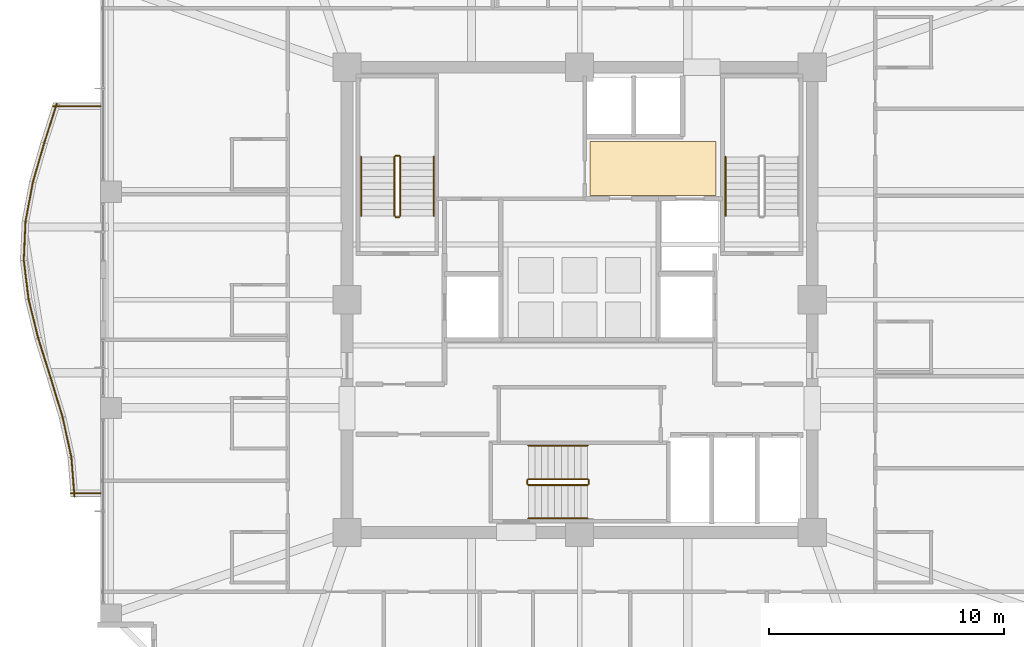
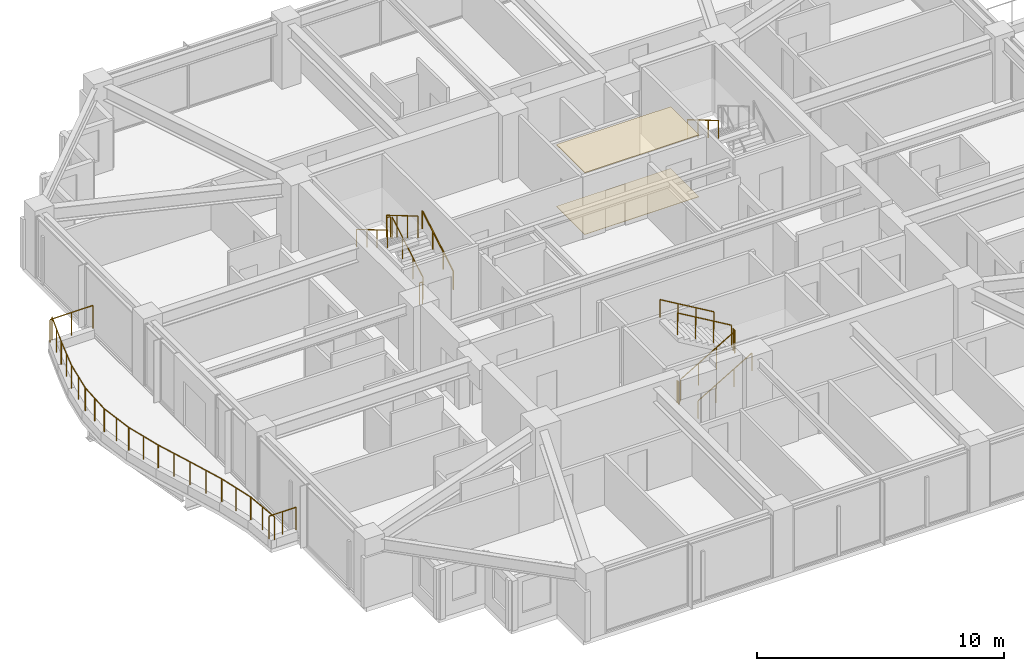
# One storey, part 33 of 34: 25 railings, 2 coverings.
"""IFC4 building model written with IfcOpenShell, lengths in metres."""

from ifc_helpers import new_model, si_unit, direction, frame, origin, origin_2d, place, context, subcontext, project, spatial, polyline, circle, outline, extrude, material, layer, layer_set, type_object, element, save


model = new_model("IFC4")

# Units and contexts
model_context = context("Model", 3, precision=1e-05, world=origin(), true_north=direction((0.0, 1.0)))
body_context = subcontext(model_context, "Body", "Model", "MODEL_VIEW")
ifc_project = project(units=[si_unit("LENGTHUNIT", "METRE"), si_unit("AREAUNIT", "SQUARE_METRE"), si_unit("VOLUMEUNIT", "CUBIC_METRE"), si_unit("PLANEANGLEUNIT", "RADIAN"), si_unit("MASSUNIT", "GRAM", prefix="KILO")], contexts=[model_context])

# Site, building, storey
site_placement = place(None, origin())
site = spatial("IfcSite", under=ifc_project, at=site_placement, CompositionType="ELEMENT")
building_placement = place(site_placement, origin())
building = spatial("IfcBuilding", under=site, at=building_placement, Name="Kolvaren Belvedere", CompositionType="ELEMENT")
storey_placement = place(building_placement, frame((0.0, 0.0, 189.89990234375)))
storey = spatial("IfcBuildingStorey", under=building, at=storey_placement, Name="L55", CompositionType="ELEMENT", Elevation=189.89990234375)

# Coverings
ifc_material_1 = material(Name="Acoustic perforated gypsum board", Category="gypsum")
ifc_layer_1 = layer(ifc_material_1, 0.02490234375)
ifc_layer_set_1 = layer_set([ifc_layer_1], Name="Acoustic perforated gypsum board")
covering_type_1 = type_object("IfcCoveringType", Name="COV-CEIL-GYP", PredefinedType="CEILING", material=ifc_layer_set_1)
covering_1_placement = place(storey_placement, frame((0.0, 0.0, 3.05517578125)))
element("IfcCovering", 1, at=covering_1_placement, inside=storey, type_object=covering_type_1, Name="L55 Lift Lobby Acoustic Baffle Ceiling", PredefinedType="CEILING", context=body_context, shape_type="SweptSolid", body=[
    extrude(outline(polyline([(0.449951171875, 4.449951171875), (5.800048828125, 4.449951171875), (5.800048828125, 6.75), (0.449951171875, 6.75), (0.449951171875, 4.449951171875)])), origin(), (0.0, 0.0, 1.0), 0.02490234375),
])
ifc_material_2 = material(Name="Engineered Pacific white oak", Category="timber")
ifc_layer_2 = layer(ifc_material_2, 0.02001953125)
ifc_layer_set_2 = layer_set([ifc_layer_2], Name="Engineered Pacific white oak")
covering_type_2 = type_object("IfcCoveringType", Name="COV-FLR-OAK", PredefinedType="FLOORING", material=ifc_layer_set_2)
covering_2_placement = place(storey_placement, origin())
element("IfcCovering", 2, at=covering_2_placement, inside=storey, type_object=covering_type_2, Name="L55 Lift Lobby Finish Flooring", PredefinedType="FLOORING", context=body_context, shape_type="SweptSolid", body=[
    extrude(outline(polyline([(0.449951171875, 4.449951171875), (5.800048828125, 4.449951171875), (5.800048828125, 6.75), (0.449951171875, 6.75), (0.449951171875, 4.449951171875)])), origin(), (0.0, 0.0, 1.0), 0.02001953125),
])

# Railings
ifc_material_3 = material(Name="Anodised pale-metal aluminium & laminated glass guard", Category="aluminium")
railing_type_1 = type_object("IfcRailingType", Name="RL-GUARD-1150", PredefinedType="GUARDRAIL", material=ifc_material_3)
railing_1_placement = place(storey_placement, frame((-22.25390625, 8.351318359375, 0.380126953125)))
element("IfcRailing", 3, at=railing_1_placement, inside=storey, type_object=railing_type_1, Name="L55 Exterior Deck Safety Guard BAL-W-1", PredefinedType="GUARDRAIL", context=body_context, shape_type="SweptSolid", body=[
    extrude(circle(Radius=0.02392578125, at=origin_2d()), frame((0.0, 0.0, 1.1259765625), z_axis=(-0.304032153573, -0.952661770826, 0.0), x_axis=(0.952661770826, -0.304032153573, 0.0)), (0.0, 0.0, 1.0), 1.763427734375),
    extrude(circle(Radius=0.02099609375, at=origin_2d()), origin(), (0.0, 0.0, 1.0), 1.101806640625),
    extrude(circle(Radius=0.02099609375, at=origin_2d()), frame((-0.26806640625, -0.83984375, 0.0)), (0.0, 0.0, 1.0), 1.101806640625),
    extrude(circle(Radius=0.02099609375, at=origin_2d()), frame((-0.5361328125, -1.679931640625, 0.0)), (0.0, 0.0, 1.0), 1.101806640625),
])
railing_2_placement = place(storey_placement, frame((-22.788818359375, 6.675537109375, 0.380126953125)))
element("IfcRailing", 4, at=railing_2_placement, inside=storey, type_object=railing_type_1, Name="L55 Exterior Deck Safety Guard BAL-W-2", PredefinedType="GUARDRAIL", context=body_context, shape_type="SweptSolid", body=[
    extrude(circle(Radius=0.02392578125, at=origin_2d()), frame((0.0, 0.0, 1.1259765625), z_axis=(-0.277817391164, -0.960633903819, 0.0), x_axis=(0.960633903819, -0.277817391164, 0.0)), (0.0, 0.0, 1.0), 1.748779296875),
    extrude(circle(Radius=0.02099609375, at=origin_2d()), origin(), (0.0, 0.0, 1.0), 1.101806640625),
    extrude(circle(Radius=0.02099609375, at=origin_2d()), frame((-0.242919921875, -0.83984375, 0.0)), (0.0, 0.0, 1.0), 1.101806640625),
    extrude(circle(Radius=0.02099609375, at=origin_2d()), frame((-0.48583984375, -1.679931640625, 0.0)), (0.0, 0.0, 1.0), 1.101806640625),
])
railing_3_placement = place(storey_placement, frame((-23.271240234375, 5.010498046875, 0.380126953125)))
element("IfcRailing", 5, at=railing_3_placement, inside=storey, type_object=railing_type_1, Name="L55 Exterior Deck Safety Guard BAL-W-3", PredefinedType="GUARDRAIL", context=body_context, shape_type="SweptSolid", body=[
    extrude(circle(Radius=0.02392578125, at=origin_2d()), frame((0.0, 0.0, 1.1259765625), z_axis=(-0.184650661912, -0.982804219087, 0.0), x_axis=(0.982804219087, -0.184650661912, 0.0)), (0.0, 0.0, 1.0), 1.70947265625),
    extrude(circle(Radius=0.02099609375, at=origin_2d()), origin(), (0.0, 0.0, 1.0), 1.101806640625),
    extrude(circle(Radius=0.02099609375, at=origin_2d()), frame((-0.15771484375, -0.840087890625, 0.0)), (0.0, 0.0, 1.0), 1.101806640625),
    extrude(circle(Radius=0.02099609375, at=origin_2d()), frame((-0.315673828125, -1.68017578125, 0.0)), (0.0, 0.0, 1.0), 1.101806640625),
])
railing_4_placement = place(storey_placement, frame((-23.58447265625, 3.352783203125, 0.380126953125)))
element("IfcRailing", 6, at=railing_4_placement, inside=storey, type_object=railing_type_1, Name="L55 Exterior Deck Safety Guard BAL-W-4", PredefinedType="GUARDRAIL", context=body_context, shape_type="SweptSolid", body=[
    extrude(circle(Radius=0.02392578125, at=origin_2d()), frame((0.0, 0.0, 1.1259765625), z_axis=(-0.045005941428, -0.998986719249, 0.0), x_axis=(0.998986719249, -0.045005941428, 0.0)), (0.0, 0.0, 1.0), 1.681640625),
    extrude(circle(Radius=0.02099609375, at=origin_2d()), origin(), (0.0, 0.0, 1.0), 1.101806640625),
    extrude(circle(Radius=0.02099609375, at=origin_2d()), frame((-0.037841796875, -0.83984375, 0.0)), (0.0, 0.0, 1.0), 1.101806640625),
    extrude(circle(Radius=0.02099609375, at=origin_2d()), frame((-0.07568359375, -1.679931640625, 0.0)), (0.0, 0.0, 1.0), 1.101806640625),
])
railing_5_placement = place(storey_placement, frame((-23.6611328125, 1.699462890625, 0.380126953125)))
element("IfcRailing", 7, at=railing_5_placement, inside=storey, type_object=railing_type_1, Name="L55 Exterior Deck Safety Guard BAL-W-5", PredefinedType="GUARDRAIL", context=body_context, shape_type="SweptSolid", body=[
    extrude(circle(Radius=0.02392578125, at=origin_2d()), frame((0.0, 0.0, 1.1259765625), z_axis=(0.121886315522, -0.99254406758, 0.0), x_axis=(0.99254406758, 0.121886315522, 0.0)), (0.0, 0.0, 1.0), 1.692626953125),
    extrude(circle(Radius=0.02099609375, at=origin_2d()), origin(), (0.0, 0.0, 1.0), 1.101806640625),
    extrude(circle(Radius=0.02099609375, at=origin_2d()), frame((0.10302734375, -0.83984375, 0.0)), (0.0, 0.0, 1.0), 1.101806640625),
    extrude(circle(Radius=0.02099609375, at=origin_2d()), frame((0.206298828125, -1.679931640625, 0.0)), (0.0, 0.0, 1.0), 1.101806640625),
])
railing_6_placement = place(storey_placement, frame((-23.458251953125, 0.038330078125, 0.380126953125)))
element("IfcRailing", 8, at=railing_6_placement, inside=storey, type_object=railing_type_1, Name="L55 Exterior Deck Safety Guard BAL-W-6", PredefinedType="GUARDRAIL", context=body_context, shape_type="SweptSolid", body=[
    extrude(circle(Radius=0.02392578125, at=origin_2d()), frame((0.0, 0.0, 1.1259765625), z_axis=(0.239180748277, -0.970975061293, 0.0), x_axis=(0.970975061293, 0.239180748277, 0.0)), (0.0, 0.0, 1.0), 1.730224609375),
    extrude(circle(Radius=0.02099609375, at=origin_2d()), origin(), (0.0, 0.0, 1.0), 1.101806640625),
    extrude(circle(Radius=0.02099609375, at=origin_2d()), frame((0.20703125, -0.83984375, 0.0)), (0.0, 0.0, 1.0), 1.101806640625),
    extrude(circle(Radius=0.02099609375, at=origin_2d()), frame((0.413818359375, -1.679931640625, 0.0)), (0.0, 0.0, 1.0), 1.101806640625),
])
railing_7_placement = place(storey_placement, frame((-23.047119140625, -1.632080078125, 0.380126953125)))
element("IfcRailing", 9, at=railing_7_placement, inside=storey, type_object=railing_type_1, Name="L55 Exterior Deck Safety Guard BAL-W-7", PredefinedType="GUARDRAIL", context=body_context, shape_type="SweptSolid", body=[
    extrude(circle(Radius=0.02392578125, at=origin_2d()), frame((0.0, 0.0, 1.1259765625), z_axis=(0.299624691176, -0.954057149461, 0.0), x_axis=(0.954057149461, 0.299624691176, 0.0)), (0.0, 0.0, 1.0), 1.7607421875),
    extrude(circle(Radius=0.02099609375, at=origin_2d()), origin(), (0.0, 0.0, 1.0), 1.101806640625),
    extrude(circle(Radius=0.02099609375, at=origin_2d()), frame((0.263671875, -0.83984375, 0.0)), (0.0, 0.0, 1.0), 1.101806640625),
    extrude(circle(Radius=0.02099609375, at=origin_2d()), frame((0.527587890625, -1.679931640625, 0.0)), (0.0, 0.0, 1.0), 1.101806640625),
])
railing_8_placement = place(storey_placement, frame((-22.51904296875, -3.3134765625, 0.380126953125)))
element("IfcRailing", 10, at=railing_8_placement, inside=storey, type_object=railing_type_1, Name="L55 Exterior Deck Safety Guard BAL-W-8", PredefinedType="GUARDRAIL", context=body_context, shape_type="SweptSolid", body=[
    extrude(circle(Radius=0.02392578125, at=origin_2d()), frame((0.0, 0.0, 1.1259765625), z_axis=(0.290879426191, -0.956759718748, 0.0), x_axis=(0.956759718748, 0.290879426191, 0.0)), (0.0, 0.0, 1.0), 1.755859375),
    extrude(circle(Radius=0.02099609375, at=origin_2d()), origin(), (0.0, 0.0, 1.0), 1.101806640625),
    extrude(circle(Radius=0.02099609375, at=origin_2d()), frame((0.25537109375, -0.83984375, 0.0)), (0.0, 0.0, 1.0), 1.101806640625),
    extrude(circle(Radius=0.02099609375, at=origin_2d()), frame((0.5107421875, -1.679931640625, 0.0)), (0.0, 0.0, 1.0), 1.101806640625),
])
railing_9_placement = place(storey_placement, frame((-22.0048828125, -5.005859375, 0.380126953125)))
element("IfcRailing", 11, at=railing_9_placement, inside=storey, type_object=railing_type_1, Name="L55 Exterior Deck Safety Guard BAL-W-9", PredefinedType="GUARDRAIL", context=body_context, shape_type="SweptSolid", body=[
    extrude(circle(Radius=0.02392578125, at=origin_2d()), frame((0.0, 0.0, 1.1259765625), z_axis=(0.213802724545, -0.976876857632, 0.0), x_axis=(0.976876857632, 0.213802724545, 0.0)), (0.0, 0.0, 1.0), 1.7197265625),
    extrude(circle(Radius=0.02099609375, at=origin_2d()), origin(), (0.0, 0.0, 1.0), 1.101806640625),
    extrude(circle(Radius=0.02099609375, at=origin_2d()), frame((0.183837890625, -0.83984375, 0.0)), (0.0, 0.0, 1.0), 1.101806640625),
    extrude(circle(Radius=0.02099609375, at=origin_2d()), frame((0.36767578125, -1.679931640625, 0.0)), (0.0, 0.0, 1.0), 1.101806640625),
])
railing_10_placement = place(storey_placement, frame((-21.634033203125, -6.707275390625, 0.380126953125)))
element("IfcRailing", 12, at=railing_10_placement, inside=storey, type_object=railing_type_1, Name="L55 Exterior Deck Safety Guard BAL-W-10", PredefinedType="GUARDRAIL", context=body_context, shape_type="SweptSolid", body=[
    extrude(circle(Radius=0.02392578125, at=origin_2d()), frame((0.0, 0.0, 1.1259765625), z_axis=(0.079244268248, -0.99685522818, 0.0), x_axis=(0.99685522818, 0.079244268248, 0.0)), (0.0, 0.0, 1.0), 1.685302734375),
    extrude(circle(Radius=0.02099609375, at=origin_2d()), origin(), (0.0, 0.0, 1.0), 1.101806640625),
    extrude(circle(Radius=0.02099609375, at=origin_2d()), frame((0.06689453125, -0.83984375, 0.0)), (0.0, 0.0, 1.0), 1.101806640625),
    extrude(circle(Radius=0.02099609375, at=origin_2d()), frame((0.133544921875, -1.679931640625, 0.0)), (0.0, 0.0, 1.0), 1.101806640625),
])
railing_11_placement = place(storey_placement, frame((-21.659912109375, -8.239990234375, 0.380126953125)))
element("IfcRailing", 13, at=railing_11_placement, inside=storey, type_object=railing_type_1, Name="L55 Exterior Deck Safety Guard BAL-W-11", PredefinedType="GUARDRAIL", context=body_context, shape_type="SweptSolid", body=[
    extrude(circle(Radius=0.02392578125, at=origin_2d()), frame((0.0, 0.0, 1.1259765625), z_axis=(1.0, 0.0, 0.0), x_axis=(0.0, 1.0, 0.0)), (0.0, 0.0, 1.0), 1.260009765625),
    extrude(circle(Radius=0.02099609375, at=origin_2d()), origin(), (0.0, 0.0, 1.0), 1.101806640625),
    extrude(circle(Radius=0.02099609375, at=origin_2d()), frame((0.6298828125, 0.0, 0.0)), (0.0, 0.0, 1.0), 1.101806640625),
    extrude(circle(Radius=0.02099609375, at=origin_2d()), frame((1.260009765625, 0.0, 0.0)), (0.0, 0.0, 1.0), 1.101806640625),
])
railing_12_placement = place(storey_placement, frame((-20.39990234375, 8.239990234375, 0.380126953125)))
element("IfcRailing", 14, at=railing_12_placement, inside=storey, type_object=railing_type_1, Name="L55 Exterior Deck Safety Guard BAL-W-22", PredefinedType="GUARDRAIL", context=body_context, shape_type="SweptSolid", body=[
    extrude(circle(Radius=0.02392578125, at=origin_2d()), frame((0.0, 0.0, 1.1259765625), z_axis=(-1.0, 0.0, 0.0), x_axis=(0.0, -1.0, 0.0)), (0.0, 0.0, 1.0), 2.00634765625),
    extrude(circle(Radius=0.02099609375, at=origin_2d()), origin(), (0.0, 0.0, 1.0), 1.101806640625),
    extrude(circle(Radius=0.02099609375, at=origin_2d()), frame((-1.003173828125, 0.0, 0.0)), (0.0, 0.0, 1.0), 1.101806640625),
    extrude(circle(Radius=0.02099609375, at=origin_2d()), frame((-2.00634765625, 0.0, 0.0)), (0.0, 0.0, 1.0), 1.101806640625),
])
ifc_material_4 = material(Name="Brushed stainless-steel handrail", Category="steel")
railing_type_2 = type_object("IfcRailingType", Name="RL-HANDRAIL-920", PredefinedType="HANDRAIL", material=ifc_material_4)
railing_13_placement = place(storey_placement, frame((-6.2099609375, 3.570068359375, 0.1650390625)))
element("IfcRailing", 15, at=railing_13_placement, inside=storey, type_object=railing_type_2, Name="L55 ST-1 stair handrail 1", PredefinedType="HANDRAIL", context=body_context, shape_type="SweptSolid", body=[
    extrude(circle(Radius=0.02392578125, at=origin_2d()), frame((0.0, 0.0, 0.8759765625), z_axis=(0.0, 0.86152411907, 0.507716645641), x_axis=(-1.0, 0.0, 0.0)), (0.0, 0.0, 1.0), 2.925048828125),
    extrude(circle(Radius=0.02099609375, at=origin_2d()), origin(), (0.0, 0.0, 1.0), 0.851806640625),
    extrude(circle(Radius=0.02099609375, at=origin_2d()), frame((0.0, 0.840087890625, 0.4951171875)), (0.0, 0.0, 1.0), 0.851806640625),
    extrude(circle(Radius=0.02099609375, at=origin_2d()), frame((0.0, 1.679931640625, 0.989990234375)), (0.0, 0.0, 1.0), 0.851806640625),
    extrude(circle(Radius=0.02099609375, at=origin_2d()), frame((0.0, 2.52001953125, 1.485107421875)), (0.0, 0.0, 1.0), 0.851806640625),
])
for number, where, name in (
    (16, (-9.300048828125, 6.090087890625, 1.815185546875), "L55 ST-1 stair handrail 2"),
    (17, (6.2099609375, 6.090087890625, 1.815185546875), "L55 ST-2 stair handrail 2"),
):
    element("IfcRailing", number, at=place(storey_placement, frame(where)), inside=storey, type_object=railing_type_2, Name=name, PredefinedType="HANDRAIL", context=body_context, shape_type="SweptSolid", body=[
        extrude(circle(Radius=0.02392578125, at=origin_2d()), frame((0.0, 0.0, 0.8759765625), z_axis=(0.0, -0.861560626758, 0.507654692109), x_axis=(1.0, 0.0, 0.0)), (0.0, 0.0, 1.0), 2.925048828125),
        extrude(circle(Radius=0.02099609375, at=origin_2d()), origin(), (0.0, 0.0, 1.0), 0.851806640625),
        extrude(circle(Radius=0.02099609375, at=origin_2d()), frame((0.0, -0.840087890625, 0.494873046875)), (0.0, 0.0, 1.0), 0.851806640625),
        extrude(circle(Radius=0.02099609375, at=origin_2d()), frame((0.0, -1.679931640625, 0.989990234375)), (0.0, 0.0, 1.0), 0.851806640625),
        extrude(circle(Radius=0.02099609375, at=origin_2d()), frame((0.0, -2.52001953125, 1.48486328125)), (0.0, 0.0, 1.0), 0.851806640625),
    ])
railing_14_placement = place(storey_placement, frame((-2.179931640625, -9.300048828125, 0.1650390625)))
element("IfcRailing", 18, at=railing_14_placement, inside=storey, type_object=railing_type_2, Name="L55 ST-3 stair handrail 1", PredefinedType="HANDRAIL", context=body_context, shape_type="SweptSolid", body=[
    extrude(circle(Radius=0.02392578125, at=origin_2d()), frame((0.0, 0.0, 0.8759765625), z_axis=(0.86152411907, 0.0, 0.507716645641), x_axis=(0.0, 1.0, 0.0)), (0.0, 0.0, 1.0), 2.925048828125),
    extrude(circle(Radius=0.02099609375, at=origin_2d()), origin(), (0.0, 0.0, 1.0), 0.851806640625),
    extrude(circle(Radius=0.02099609375, at=origin_2d()), frame((0.840087890625, 0.0, 0.4951171875)), (0.0, 0.0, 1.0), 0.851806640625),
    extrude(circle(Radius=0.02099609375, at=origin_2d()), frame((1.679931640625, 0.0, 0.989990234375)), (0.0, 0.0, 1.0), 0.851806640625),
    extrude(circle(Radius=0.02099609375, at=origin_2d()), frame((2.52001953125, 0.0, 1.485107421875)), (0.0, 0.0, 1.0), 0.851806640625),
])
railing_15_placement = place(storey_placement, frame((0.340087890625, -6.2099609375, 1.815185546875)))
element("IfcRailing", 19, at=railing_15_placement, inside=storey, type_object=railing_type_2, Name="L55 ST-3 stair handrail 2", PredefinedType="HANDRAIL", context=body_context, shape_type="SweptSolid", body=[
    extrude(circle(Radius=0.02392578125, at=origin_2d()), frame((0.0, 0.0, 0.8759765625), z_axis=(-0.861560626758, 0.0, 0.507654692109), x_axis=(0.0, -1.0, 0.0)), (0.0, 0.0, 1.0), 2.925048828125),
    extrude(circle(Radius=0.02099609375, at=origin_2d()), origin(), (0.0, 0.0, 1.0), 0.851806640625),
    extrude(circle(Radius=0.02099609375, at=origin_2d()), frame((-0.840087890625, 0.0, 0.494873046875)), (0.0, 0.0, 1.0), 0.851806640625),
    extrude(circle(Radius=0.02099609375, at=origin_2d()), frame((-1.679931640625, 0.0, 0.989990234375)), (0.0, 0.0, 1.0), 0.851806640625),
    extrude(circle(Radius=0.02099609375, at=origin_2d()), frame((-2.52001953125, 0.0, 1.48486328125)), (0.0, 0.0, 1.0), 0.851806640625),
])
ifc_material_5 = material(Name="Painted tubular steel stair guard", Category="steel")
railing_type_3 = type_object("IfcRailingType", Name="RL-STGUARD-1100", PredefinedType="GUARDRAIL", material=ifc_material_5)
railing_16_placement = place(storey_placement, frame((-7.6298828125, 3.570068359375, 0.1650390625)))
element("IfcRailing", 20, at=railing_16_placement, inside=storey, type_object=railing_type_3, Name="L55 ST-1 stair guard 1", PredefinedType="GUARDRAIL", context=body_context, shape_type="SweptSolid", body=[
    extrude(circle(Radius=0.02392578125, at=origin_2d()), frame((0.0, 0.0, 1.076171875), z_axis=(0.0, 0.86152411907, 0.507716645641), x_axis=(-1.0, 0.0, 0.0)), (0.0, 0.0, 1.0), 2.925048828125),
    extrude(circle(Radius=0.02099609375, at=origin_2d()), origin(), (0.0, 0.0, 1.0), 1.052001953125),
    extrude(circle(Radius=0.02099609375, at=origin_2d()), frame((0.0, 0.840087890625, 0.4951171875)), (0.0, 0.0, 1.0), 1.052001953125),
    extrude(circle(Radius=0.02099609375, at=origin_2d()), frame((0.0, 1.679931640625, 0.989990234375)), (0.0, 0.0, 1.0), 1.052001953125),
    extrude(circle(Radius=0.02099609375, at=origin_2d()), frame((0.0, 2.52001953125, 1.485107421875)), (0.0, 0.0, 1.0), 1.052001953125),
])
railing_17_placement = place(storey_placement, frame((-7.679931640625, 6.139892578125, 1.650146484375)))
element("IfcRailing", 21, at=railing_17_placement, inside=storey, type_object=railing_type_3, Name="L55 ST-1 stair guard 2", PredefinedType="GUARDRAIL", context=body_context, shape_type="SweptSolid", body=[
    extrude(circle(Radius=0.02392578125, at=origin_2d()), frame((0.0, 0.0, 1.076171875), z_axis=(-1.0, 0.0, 0.0), x_axis=(0.0, -1.0, 0.0)), (0.0, 0.0, 1.0), 0.150146484375),
    extrude(circle(Radius=0.02099609375, at=origin_2d()), origin(), (0.0, 0.0, 1.0), 1.052001953125),
    extrude(circle(Radius=0.02099609375, at=origin_2d()), frame((-0.150146484375, 0.0, 0.0)), (0.0, 0.0, 1.0), 1.052001953125),
])
railing_18_placement = place(storey_placement, frame((-7.8798828125, 6.090087890625, 1.815185546875)))
element("IfcRailing", 22, at=railing_18_placement, inside=storey, type_object=railing_type_3, Name="L55 ST-1 stair guard 3", PredefinedType="GUARDRAIL", context=body_context, shape_type="SweptSolid", body=[
    extrude(circle(Radius=0.02392578125, at=origin_2d()), frame((0.0, 0.0, 1.076171875), z_axis=(0.0, -0.861560626758, 0.507654692109), x_axis=(1.0, 0.0, 0.0)), (0.0, 0.0, 1.0), 2.925048828125),
    extrude(circle(Radius=0.02099609375, at=origin_2d()), origin(), (0.0, 0.0, 1.0), 1.052001953125),
    extrude(circle(Radius=0.02099609375, at=origin_2d()), frame((0.0, -0.840087890625, 0.494873046875)), (0.0, 0.0, 1.0), 1.052001953125),
    extrude(circle(Radius=0.02099609375, at=origin_2d()), frame((0.0, -1.679931640625, 0.989990234375)), (0.0, 0.0, 1.0), 1.052001953125),
    extrude(circle(Radius=0.02099609375, at=origin_2d()), frame((0.0, -2.52001953125, 1.48486328125)), (0.0, 0.0, 1.0), 1.052001953125),
])
railing_19_placement = place(storey_placement, frame((-7.679931640625, 3.52001953125, 0.0)))
element("IfcRailing", 23, at=railing_19_placement, inside=storey, type_object=railing_type_3, Name="L55 ST-1 stair guard 4", PredefinedType="GUARDRAIL", context=body_context, shape_type="SweptSolid", body=[
    extrude(circle(Radius=0.02392578125, at=origin_2d()), frame((0.0, 0.0, 1.076171875), z_axis=(-1.0, 0.0, 0.0), x_axis=(0.0, -1.0, 0.0)), (0.0, 0.0, 1.0), 0.150146484375),
    extrude(circle(Radius=0.02099609375, at=origin_2d()), origin(), (0.0, 0.0, 1.0), 1.052001953125),
    extrude(circle(Radius=0.02099609375, at=origin_2d()), frame((-0.150146484375, 0.0, 0.0)), (0.0, 0.0, 1.0), 1.052001953125),
])
railing_20_placement = place(storey_placement, frame((-2.179931640625, -7.8798828125, 0.1650390625)))
element("IfcRailing", 24, at=railing_20_placement, inside=storey, type_object=railing_type_3, Name="L55 ST-3 stair guard 1", PredefinedType="GUARDRAIL", context=body_context, shape_type="SweptSolid", body=[
    extrude(circle(Radius=0.02392578125, at=origin_2d()), frame((0.0, 0.0, 1.076171875), z_axis=(0.86152411907, 0.0, 0.507716645641), x_axis=(0.0, 1.0, 0.0)), (0.0, 0.0, 1.0), 2.925048828125),
    extrude(circle(Radius=0.02099609375, at=origin_2d()), origin(), (0.0, 0.0, 1.0), 1.052001953125),
    extrude(circle(Radius=0.02099609375, at=origin_2d()), frame((0.840087890625, 0.0, 0.4951171875)), (0.0, 0.0, 1.0), 1.052001953125),
    extrude(circle(Radius=0.02099609375, at=origin_2d()), frame((1.679931640625, 0.0, 0.989990234375)), (0.0, 0.0, 1.0), 1.052001953125),
    extrude(circle(Radius=0.02099609375, at=origin_2d()), frame((2.52001953125, 0.0, 1.485107421875)), (0.0, 0.0, 1.0), 1.052001953125),
])
railing_21_placement = place(storey_placement, frame((0.389892578125, -7.830078125, 1.650146484375)))
element("IfcRailing", 25, at=railing_21_placement, inside=storey, type_object=railing_type_3, Name="L55 ST-3 stair guard 2", PredefinedType="GUARDRAIL", context=body_context, shape_type="SweptSolid", body=[
    extrude(circle(Radius=0.02392578125, at=origin_2d()), frame((0.0, 0.0, 1.076171875), z_axis=(0.0, 1.0, 0.0), x_axis=(-1.0, 0.0, 0.0)), (0.0, 0.0, 1.0), 0.150146484375),
    extrude(circle(Radius=0.02099609375, at=origin_2d()), origin(), (0.0, 0.0, 1.0), 1.052001953125),
    extrude(circle(Radius=0.02099609375, at=origin_2d()), frame((0.0, 0.150146484375, 0.0)), (0.0, 0.0, 1.0), 1.052001953125),
])
railing_22_placement = place(storey_placement, frame((0.340087890625, -7.6298828125, 1.815185546875)))
element("IfcRailing", 26, at=railing_22_placement, inside=storey, type_object=railing_type_3, Name="L55 ST-3 stair guard 3", PredefinedType="GUARDRAIL", context=body_context, shape_type="SweptSolid", body=[
    extrude(circle(Radius=0.02392578125, at=origin_2d()), frame((0.0, 0.0, 1.076171875), z_axis=(-0.861560626758, 0.0, 0.507654692109), x_axis=(0.0, -1.0, 0.0)), (0.0, 0.0, 1.0), 2.925048828125),
    extrude(circle(Radius=0.02099609375, at=origin_2d()), origin(), (0.0, 0.0, 1.0), 1.052001953125),
    extrude(circle(Radius=0.02099609375, at=origin_2d()), frame((-0.840087890625, 0.0, 0.494873046875)), (0.0, 0.0, 1.0), 1.052001953125),
    extrude(circle(Radius=0.02099609375, at=origin_2d()), frame((-1.679931640625, 0.0, 0.989990234375)), (0.0, 0.0, 1.0), 1.052001953125),
    extrude(circle(Radius=0.02099609375, at=origin_2d()), frame((-2.52001953125, 0.0, 1.48486328125)), (0.0, 0.0, 1.0), 1.052001953125),
])
railing_23_placement = place(storey_placement, frame((-2.22998046875, -7.830078125, 0.0)))
element("IfcRailing", 27, at=railing_23_placement, inside=storey, type_object=railing_type_3, Name="L55 ST-3 stair guard 4", PredefinedType="GUARDRAIL", context=body_context, shape_type="SweptSolid", body=[
    extrude(circle(Radius=0.02392578125, at=origin_2d()), frame((0.0, 0.0, 1.076171875), z_axis=(0.0, 1.0, 0.0), x_axis=(-1.0, 0.0, 0.0)), (0.0, 0.0, 1.0), 0.150146484375),
    extrude(circle(Radius=0.02099609375, at=origin_2d()), origin(), (0.0, 0.0, 1.0), 1.052001953125),
    extrude(circle(Radius=0.02099609375, at=origin_2d()), frame((0.0, 0.150146484375, 0.0)), (0.0, 0.0, 1.0), 1.052001953125),
])

save(model, "model.ifc")
